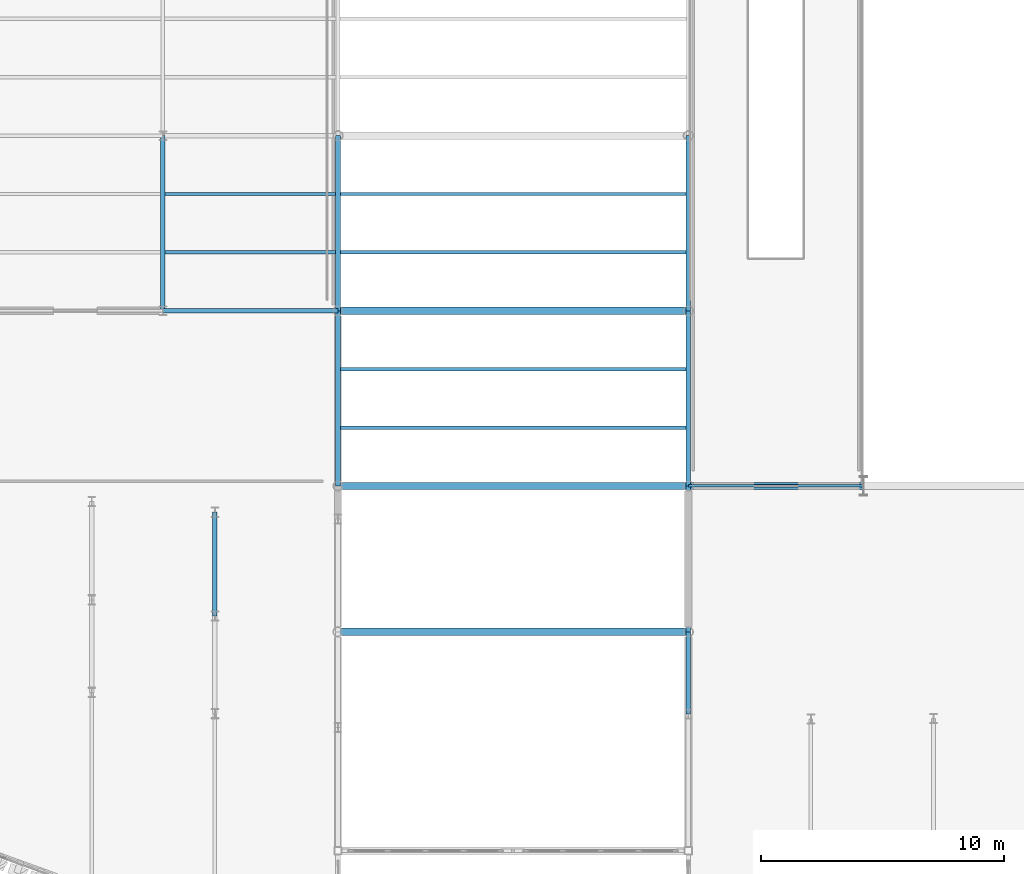
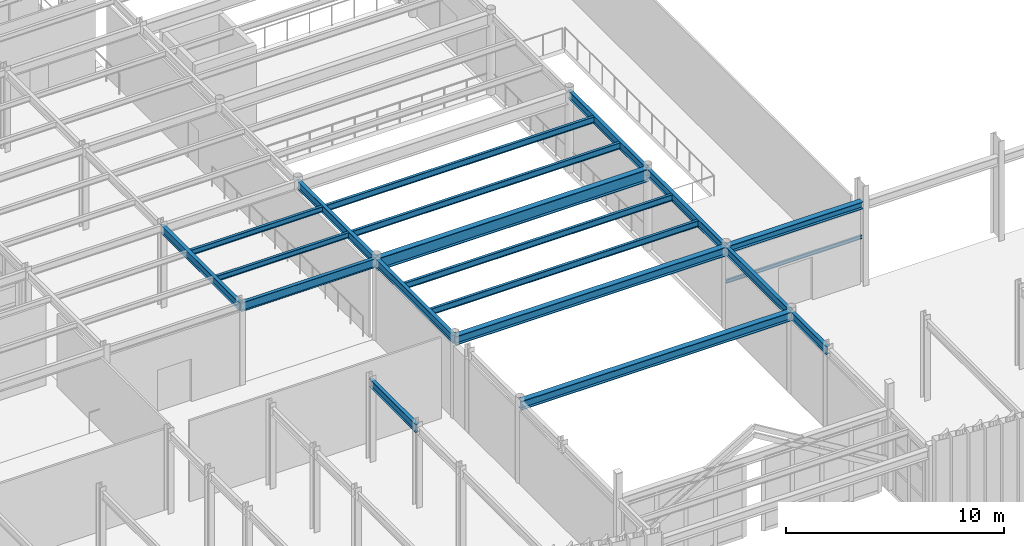
# One storey, part 45 of 126: 20 beams.
"""IFC4 building model written with IfcOpenShell, lengths in metres."""

from ifc_helpers import new_model, si_unit, direction, frame, origin, origin_2d, place, context, subcontext, project, spatial, i_section, extrude, material, material_profile, profile_set, type_object, element, save


model = new_model("IFC4")

# Units and contexts
model_context = context("Model", 3, precision=1e-05, world=origin(), true_north=direction((0.0, 1.0)))
body_context = subcontext(model_context, "Body", "Model", "MODEL_VIEW")
ifc_project = project(units=[si_unit("LENGTHUNIT", "METRE"), si_unit("AREAUNIT", "SQUARE_METRE"), si_unit("VOLUMEUNIT", "CUBIC_METRE"), si_unit("PLANEANGLEUNIT", "RADIAN"), si_unit("MASSUNIT", "GRAM", prefix="KILO")], contexts=[model_context])

# Site, building, storey
site_placement = place(None, origin())
site = spatial("IfcSite", under=ifc_project, at=site_placement, CompositionType="ELEMENT")
building_placement = place(site_placement, origin())
building = spatial("IfcBuilding", under=site, at=building_placement, Name="Solvadek Multi-Sports Hall", CompositionType="ELEMENT")
storey_placement = place(building_placement, frame((0.0, 0.0, 9.60009765625)))
storey = spatial("IfcBuildingStorey", under=building, at=storey_placement, Name="L02", CompositionType="ELEMENT", Elevation=9.60009765625)

# Beams
ifc_material_1 = material(Name="Steel E350 (350 MPa)", Category="steel")
ifc_material_profile_1 = material_profile(ifc_material_1, i_section(OverallWidth=0.179931640625, OverallDepth=0.5, WebThickness=0.01025390625, FlangeThickness=0.01708984375, at=origin_2d()), Name="ISMB 500")
ifc_profile_set_1 = profile_set([ifc_material_profile_1], Name="Steel E350 (350 MPa)")
beam_type_1 = type_object("IfcBeamType", Name="STR-BM-ISMB500", PredefinedType="BEAM", material=ifc_profile_set_1)
beam_1_placement = place(storey_placement, frame((64.800048828125, 13.199951171875, 4.309814453125), z_axis=(1.0, 0.0, 0.0), x_axis=(0.0, 1.0, 0.0)))
element("IfcBeam", 1, at=beam_1_placement, inside=storey, type_object=beam_type_1, Name="L02 Girder B-07 #1324", PredefinedType="BEAM", context=body_context, shape_type="SweptSolid", body=[
    extrude(i_section(OverallWidth=0.179931640625, OverallDepth=0.5, WebThickness=0.01025390625, FlangeThickness=0.01708984375, at=origin_2d()), origin(), (0.0, 0.0, 1.0), 7.199951171875),
])
ifc_material_profile_2 = material_profile(ifc_material_1, i_section(OverallWidth=0.18994140625, OverallDepth=0.449951171875, WebThickness=0.009521484375, FlangeThickness=0.0146484375, at=origin_2d()), Name="NPB 450")
ifc_profile_set_2 = profile_set([ifc_material_profile_2], Name="Steel E350 (350 MPa)")
beam_type_2 = type_object("IfcBeamType", Name="STR-BM-NPB450", PredefinedType="BEAM", material=ifc_profile_set_2)
beam_2_placement = place(storey_placement, frame((64.800048828125, 13.199951171875, 4.3349609375), z_axis=(0.0, 1.0, 0.0), x_axis=(-1.0, 0.0, 0.0)))
element("IfcBeam", 2, at=beam_2_placement, inside=storey, type_object=beam_type_2, Name="L02 Girder B-08 #1539", PredefinedType="BEAM", context=body_context, shape_type="SweptSolid", body=[
    extrude(i_section(OverallWidth=0.18994140625, OverallDepth=0.449951171875, WebThickness=0.009521484375, FlangeThickness=0.0146484375, at=origin_2d()), origin(), (0.0, 0.0, 1.0), 7.199951171875),
])
beam_3_placement = place(storey_placement, frame((66.939453125, 0.653076171875, 4.3349609375), z_axis=(0.0, 1.0, 0.0), x_axis=(-1.0, 0.0, 0.0)))
element("IfcBeam", 3, at=beam_3_placement, inside=storey, type_object=beam_type_2, Name="L02 Girder B-08 #1553", PredefinedType="BEAM", context=body_context, shape_type="SweptSolid", body=[
    extrude(i_section(OverallWidth=0.18994140625, OverallDepth=0.449951171875, WebThickness=0.009521484375, FlangeThickness=0.0146484375, at=origin_2d()), origin(), (0.0, 0.0, 1.0), 4.265869140625),
])
for number, where, z_axis, x_axis, name in (
    (4, (72.0, 6.0, 4.3349609375), (0.0, 1.0, 0.0), (-1.0, 0.0, 0.0), "L02 Girder B-08 #1558"),
    (5, (72.0, 13.199951171875, 4.3349609375), (0.0, 1.0, 0.0), (-1.0, 0.0, 0.0), "L02 Girder B-08 #1559"),
):
    element("IfcBeam", number, at=place(storey_placement, frame(where, z_axis=z_axis, x_axis=x_axis)), inside=storey, type_object=beam_type_2, Name=name, PredefinedType="BEAM", context=body_context, shape_type="SweptSolid", body=[
        extrude(i_section(OverallWidth=0.18994140625, OverallDepth=0.449951171875, WebThickness=0.009521484375, FlangeThickness=0.0146484375, at=origin_2d()), origin(), (0.0, 0.0, 1.0), 7.199951171875),
    ])
beam_4_placement = place(storey_placement, frame((86.39990234375, -3.37646484375, 4.3349609375), z_axis=(0.0, 1.0, 0.0), x_axis=(-1.0, 0.0, 0.0)))
element("IfcBeam", 6, at=beam_4_placement, inside=storey, type_object=beam_type_2, Name="L02 Girder B-08 #1574", PredefinedType="BEAM", context=body_context, shape_type="SweptSolid", body=[
    extrude(i_section(OverallWidth=0.18994140625, OverallDepth=0.449951171875, WebThickness=0.009521484375, FlangeThickness=0.0146484375, at=origin_2d()), origin(), (0.0, 0.0, 1.0), 3.37646484375),
])
beam_5_placement = place(storey_placement, frame((86.39990234375, 0.0, 4.3349609375), z_axis=(0.0, 1.0, 0.0), x_axis=(-1.0, 0.0, 0.0)))
element("IfcBeam", 7, at=beam_5_placement, inside=storey, type_object=beam_type_2, Name="L02 Girder B-08 #1575", PredefinedType="BEAM", context=body_context, shape_type="SweptSolid", body=[
    extrude(i_section(OverallWidth=0.18994140625, OverallDepth=0.449951171875, WebThickness=0.009521484375, FlangeThickness=0.0146484375, at=origin_2d()), origin(), (0.0, 0.0, 1.0), 6.0),
])
for number, where, z_axis, x_axis, name in (
    (8, (86.39990234375, 6.0, 4.3349609375), (0.0, 1.0, 0.0), (-1.0, 0.0, 0.0), "L02 Girder B-08 #1576"),
    (9, (86.39990234375, 13.199951171875, 4.3349609375), (0.0, 1.0, 0.0), (-1.0, 0.0, 0.0), "L02 Girder B-08 #1577"),
):
    element("IfcBeam", number, at=place(storey_placement, frame(where, z_axis=z_axis, x_axis=x_axis)), inside=storey, type_object=beam_type_2, Name=name, PredefinedType="BEAM", context=body_context, shape_type="SweptSolid", body=[
        extrude(i_section(OverallWidth=0.18994140625, OverallDepth=0.449951171875, WebThickness=0.009521484375, FlangeThickness=0.0146484375, at=origin_2d()), origin(), (0.0, 0.0, 1.0), 7.199951171875),
    ])
ifc_material_profile_3 = material_profile(ifc_material_1, i_section(OverallWidth=0.300048828125, OverallDepth=0.699951171875, WebThickness=0.01708984375, FlangeThickness=0.031982421875, at=origin_2d()), Name="WPB 700")
ifc_profile_set_3 = profile_set([ifc_material_profile_3], Name="Steel E350 (350 MPa)")
beam_type_3 = type_object("IfcBeamType", Name="STR-BM-WPB700", PredefinedType="BEAM", material=ifc_profile_set_3)
beam_6_placement = place(storey_placement, frame((72.0, 13.199951171875, 4.2099609375), z_axis=(1.0, 0.0, 0.0), x_axis=(0.0, 1.0, 0.0)))
element("IfcBeam", 10, at=beam_6_placement, inside=storey, type_object=beam_type_3, Name="L02 Girder B-01 #1325", PredefinedType="BEAM", context=body_context, shape_type="SweptSolid", body=[
    extrude(i_section(OverallWidth=0.300048828125, OverallDepth=0.699951171875, WebThickness=0.01708984375, FlangeThickness=0.031982421875, at=origin_2d()), origin(), (0.0, 0.0, 1.0), 14.39990234375),
])
ifc_material_profile_4 = material_profile(ifc_material_1, i_section(OverallWidth=0.139892578125, OverallDepth=0.300048828125, WebThickness=0.0078125, FlangeThickness=0.01318359375, at=origin_2d()), Name="ISMB 300")
ifc_profile_set_4 = profile_set([ifc_material_profile_4], Name="Steel E350 (350 MPa)")
beam_type_4 = type_object("IfcBeamType", Name="STR-JST-ISMB300", PredefinedType="JOIST", material=ifc_profile_set_4)
for number, where, z_axis, x_axis, name in (
    (11, (64.89501953125, 15.60009765625, 4.409912109375), (1.0, 0.0, 0.0), (0.0, 1.0, 0.0), "L02 Composite Joist J-03 #769"),
    (12, (64.89501953125, 18.0, 4.409912109375), (1.0, 0.0, 0.0), (0.0, 1.0, 0.0), "L02 Composite Joist J-03 #770"),
):
    element("IfcBeam", number, at=place(storey_placement, frame(where, z_axis=z_axis, x_axis=x_axis)), inside=storey, type_object=beam_type_4, Name=name, PredefinedType="JOIST", context=body_context, shape_type="SweptSolid", body=[
        extrude(i_section(OverallWidth=0.139892578125, OverallDepth=0.300048828125, WebThickness=0.0078125, FlangeThickness=0.01318359375, at=origin_2d()), origin(), (0.0, 0.0, 1.0), 7.010009765625),
    ])
ifc_material_profile_5 = material_profile(ifc_material_1, i_section(OverallWidth=0.139892578125, OverallDepth=0.35009765625, WebThickness=0.008056640625, FlangeThickness=0.01416015625, at=origin_2d()), Name="ISMB 350")
ifc_profile_set_5 = profile_set([ifc_material_profile_5], Name="Steel E350 (350 MPa)")
beam_type_5 = type_object("IfcBeamType", Name="STR-JST-ISMB350", PredefinedType="JOIST", material=ifc_profile_set_5)
for number, where, z_axis, x_axis, name in (
    (13, (72.094970703125, 8.39990234375, 4.385009765625), (1.0, 0.0, 0.0), (0.0, 1.0, 0.0), "L02 Composite Joist J-01 #759"),
    (14, (72.094970703125, 10.800048828125, 4.385009765625), (1.0, 0.0, 0.0), (0.0, 1.0, 0.0), "L02 Composite Joist J-01 #760"),
    (15, (72.094970703125, 15.60009765625, 4.385009765625), (1.0, 0.0, 0.0), (0.0, 1.0, 0.0), "L02 Composite Joist J-01 #771"),
    (16, (72.094970703125, 18.0, 4.385009765625), (1.0, 0.0, 0.0), (0.0, 1.0, 0.0), "L02 Composite Joist J-01 #772"),
):
    element("IfcBeam", number, at=place(storey_placement, frame(where, z_axis=z_axis, x_axis=x_axis)), inside=storey, type_object=beam_type_5, Name=name, PredefinedType="JOIST", context=body_context, shape_type="SweptSolid", body=[
        extrude(i_section(OverallWidth=0.139892578125, OverallDepth=0.35009765625, WebThickness=0.008056640625, FlangeThickness=0.01416015625, at=origin_2d()), origin(), (0.0, 0.0, 1.0), 14.2099609375),
    ])
ifc_material_2 = material(Name="Steel E250 (250 MPa)", Category="steel")
ifc_material_profile_6 = material_profile(ifc_material_2, i_section(OverallWidth=0.10009765625, OverallDepth=0.199951171875, WebThickness=0.005615234375, FlangeThickness=0.0107421875, at=origin_2d()), Name="ISMB 200")
ifc_profile_set_6 = profile_set([ifc_material_profile_6], Name="Steel E250 (250 MPa)")
beam_type_6 = type_object("IfcBeamType", Name="STR-LIN-ISMB200", PredefinedType="LINTEL", material=ifc_profile_set_6)
beam_7_placement = place(storey_placement, frame((86.39990234375, 6.0, 2.52001953125), z_axis=(1.0, 0.0, 0.0), x_axis=(0.0, 1.0, 0.0)))
element("IfcBeam", 17, at=beam_7_placement, inside=storey, type_object=beam_type_6, Name="L02 Opening Lintel #25", PredefinedType="LINTEL", context=body_context, shape_type="SweptSolid", body=[
    extrude(i_section(OverallWidth=0.10009765625, OverallDepth=0.199951171875, WebThickness=0.005615234375, FlangeThickness=0.0107421875, at=origin_2d()), origin(), (0.0, 0.0, 1.0), 7.2001953125),
])
ifc_material_profile_7 = material_profile(ifc_material_1, i_section(OverallWidth=0.300048828125, OverallDepth=0.39990234375, WebThickness=0.013427734375, FlangeThickness=0.02392578125, at=origin_2d()), Name="WPB 400")
ifc_profile_set_7 = profile_set([ifc_material_profile_7], Name="Steel E350 (350 MPa)")
beam_type_7 = type_object("IfcBeamType", Name="STR-SPN-WPB400", PredefinedType="SPANDREL", material=ifc_profile_set_7)
beam_8_placement = place(storey_placement, frame((86.39990234375, 6.0, 4.35986328125), z_axis=(1.0, 0.0, 0.0), x_axis=(0.0, 1.0, 0.0)))
element("IfcBeam", 18, at=beam_8_placement, inside=storey, type_object=beam_type_7, Name="L02 Girder SP-02 #1313", PredefinedType="SPANDREL", context=body_context, shape_type="SweptSolid", body=[
    extrude(i_section(OverallWidth=0.300048828125, OverallDepth=0.39990234375, WebThickness=0.013427734375, FlangeThickness=0.02392578125, at=origin_2d()), origin(), (0.0, 0.0, 1.0), 7.2001953125),
])
ifc_material_profile_8 = material_profile(ifc_material_1, i_section(OverallWidth=0.300048828125, OverallDepth=0.5, WebThickness=0.014404296875, FlangeThickness=0.028076171875, at=origin_2d()), Name="WPB 500")
ifc_profile_set_8 = profile_set([ifc_material_profile_8], Name="Steel E350 (350 MPa)")
beam_type_8 = type_object("IfcBeamType", Name="STR-SPN-WPB500", PredefinedType="SPANDREL", material=ifc_profile_set_8)
for number, where, z_axis, x_axis, name in (
    (19, (72.0, 0.0, 4.309814453125), (1.0, 0.0, 0.0), (0.0, 1.0, 0.0), "L02 Girder SP-01 #1311"),
    (20, (72.0, 6.0, 4.309814453125), (1.0, 0.0, 0.0), (0.0, 1.0, 0.0), "L02 Girder SP-01 #1312"),
):
    element("IfcBeam", number, at=place(storey_placement, frame(where, z_axis=z_axis, x_axis=x_axis)), inside=storey, type_object=beam_type_8, Name=name, PredefinedType="SPANDREL", context=body_context, shape_type="SweptSolid", body=[
        extrude(i_section(OverallWidth=0.300048828125, OverallDepth=0.5, WebThickness=0.014404296875, FlangeThickness=0.028076171875, at=origin_2d()), origin(), (0.0, 0.0, 1.0), 14.39990234375),
    ])

save(model, "model.ifc")
